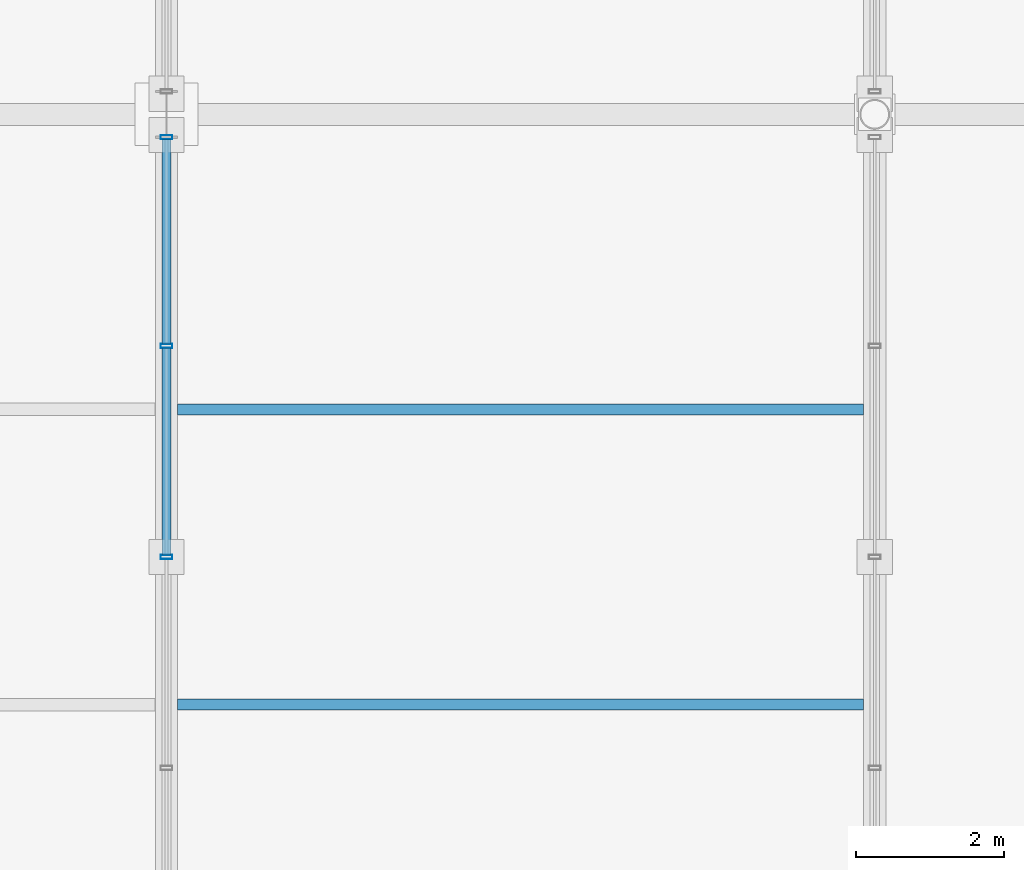
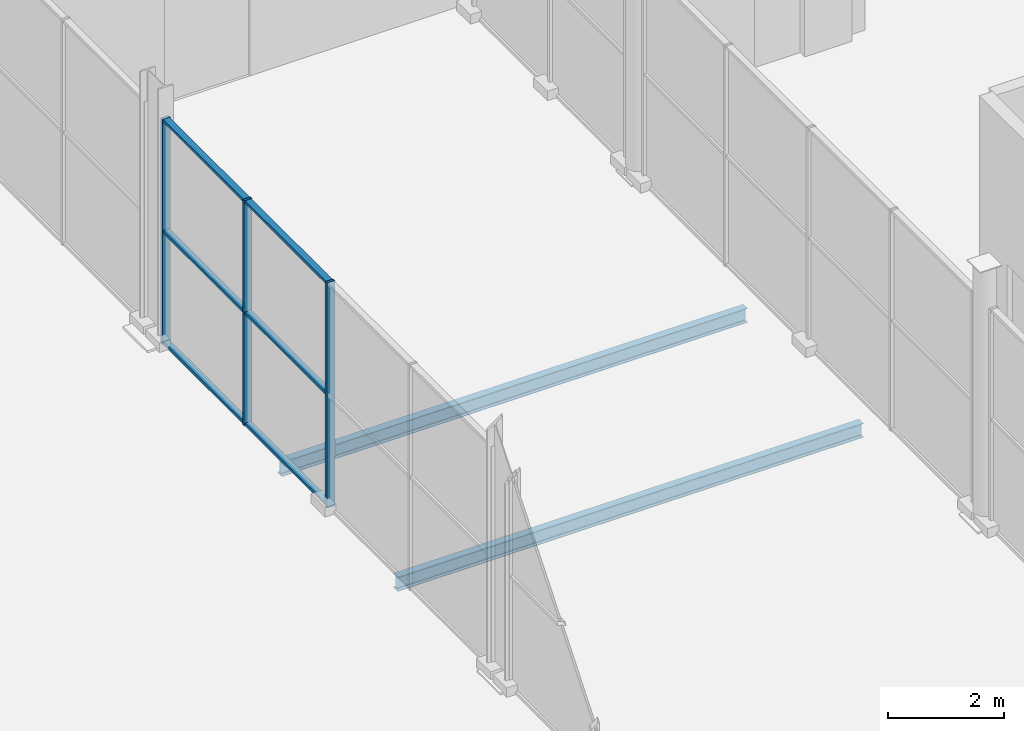
# One storey, part 97 of 196: 9 members, 2 beams, 1 element without a shape of its own.
"""IFC4 building model written with IfcOpenShell, lengths in metres."""

from ifc_helpers import new_model, si_unit, direction, frame, origin, origin_2d, place, context, subcontext, project, spatial, hollow_rectangle, i_section, extrude, material, material_profile, profile_set, type_object, element, aggregate, save


model = new_model("IFC4")

# Units and contexts
model_context = context("Model", 3, precision=1e-05, world=origin(), true_north=direction((0.0, 1.0)))
body_context = subcontext(model_context, "Body", "Model", "MODEL_VIEW")
ifc_project = project(units=[si_unit("LENGTHUNIT", "METRE"), si_unit("AREAUNIT", "SQUARE_METRE"), si_unit("VOLUMEUNIT", "CUBIC_METRE"), si_unit("PLANEANGLEUNIT", "RADIAN"), si_unit("MASSUNIT", "GRAM", prefix="KILO")], contexts=[model_context])

# Site, building, storey
site_placement = place(None, origin())
site = spatial("IfcSite", under=ifc_project, at=site_placement, CompositionType="ELEMENT")
building_placement = place(site_placement, origin())
building = spatial("IfcBuilding", under=site, at=building_placement, Name="Merenkruunu Market Hall", CompositionType="ELEMENT")
storey_placement = place(building_placement, origin())
storey = spatial("IfcBuildingStorey", under=building, at=storey_placement, Name="L00", CompositionType="ELEMENT", Elevation=0.0)

# Curtain wall, members
ifc_material_1 = material(Name="Powder-coated aluminium", Category="aluminium")
curtain_wall_type = type_object("IfcCurtainWallType", Name="Glazed Curtain Wall CW02", PredefinedType="USERDEFINED", material=ifc_material_1)
curtain_wall_placement = place(storey_placement, origin())
curtain_wall = element("IfcCurtainWall", 1, at=curtain_wall_placement, inside=storey, type_object=curtain_wall_type, Name="CW-L00-CWM01-133", ObjectType="GLAZED_FACADE", PredefinedType="USERDEFINED")
ifc_material_profile_1 = material_profile(ifc_material_1, hollow_rectangle(XDim=0.06005859375, YDim=0.159912109375, WallThickness=0.00390625, at=origin_2d()), Name="ALU 60x160x4")
ifc_profile_set_1 = profile_set([ifc_material_profile_1], Name="Powder-coated aluminium")
member_type_1 = type_object("IfcMemberType", Name="Curtain Wall Mullion CWM01", PredefinedType="MULLION", material=ifc_profile_set_1)
member_1_placement = place(storey_placement, frame((57.60009765625, 81.60009765625, 0.0), z_axis=(0.0, 0.0, 1.0), x_axis=(0.0, 1.0, 0.0)))
member_1 = element("IfcMember", 2, at=member_1_placement, type_object=member_type_1, Name="CW02 mullion 3", PredefinedType="MULLION", context=body_context, shape_type="SweptSolid", body=[
    extrude(hollow_rectangle(XDim=0.06005859375, YDim=0.159912109375, WallThickness=0.00390625, at=origin_2d()), origin(), (0.0, 0.0, 1.0), 4.75),
])
member_2_placement = place(storey_placement, frame((57.60009765625, 84.4599609375, 0.0), z_axis=(0.0, 0.0, 1.0), x_axis=(0.0, 1.0, 0.0)))
member_2 = element("IfcMember", 3, at=member_2_placement, type_object=member_type_1, Name="CW02 mullion 4", PredefinedType="MULLION", context=body_context, shape_type="SweptSolid", body=[
    extrude(hollow_rectangle(XDim=0.06005859375, YDim=0.159912109375, WallThickness=0.00390625, at=origin_2d()), origin(), (0.0, 0.0, 1.0), 4.75),
])
member_3_placement = place(storey_placement, frame((57.60009765625, 87.2900390625, 0.0), z_axis=(0.0, 0.0, 1.0), x_axis=(0.0, 1.0, 0.0)))
member_3 = element("IfcMember", 4, at=member_3_placement, type_object=member_type_1, Name="CW02 mullion 5", PredefinedType="MULLION", context=body_context, shape_type="SweptSolid", body=[
    extrude(hollow_rectangle(XDim=0.06005859375, YDim=0.159912109375, WallThickness=0.00390625, at=origin_2d()), origin(), (0.0, 0.0, 1.0), 4.75),
])
ifc_material_profile_2 = material_profile(ifc_material_1, hollow_rectangle(XDim=0.06005859375, YDim=0.125, WallThickness=0.00390625, at=origin_2d()), Name="ALU 60x125x4")
ifc_profile_set_2 = profile_set([ifc_material_profile_2], Name="Powder-coated aluminium")
member_type_2 = type_object("IfcMemberType", Name="Curtain Wall Transom CWT01", PredefinedType="USERDEFINED", material=ifc_profile_set_2)
member_4_placement = place(storey_placement, frame((57.60009765625, 81.6298828125, 0.030029296875), z_axis=(0.0, 1.0, 0.0), x_axis=(0.0, 0.0, 1.0)))
member_4 = element("IfcMember", 5, at=member_4_placement, type_object=member_type_2, Name="CW02 transom 3.1", ObjectType="TRANSOM", PredefinedType="USERDEFINED", context=body_context, shape_type="SweptSolid", body=[
    extrude(hollow_rectangle(XDim=0.06005859375, YDim=0.125, WallThickness=0.00390625, at=origin_2d()), origin(), (0.0, 0.0, 1.0), 2.800048828125),
])
member_5_placement = place(storey_placement, frame((57.60009765625, 81.6298828125, 2.375), z_axis=(0.0, 1.0, 0.0), x_axis=(0.0, 0.0, 1.0)))
member_5 = element("IfcMember", 6, at=member_5_placement, type_object=member_type_2, Name="CW02 transom 3.2", ObjectType="TRANSOM", PredefinedType="USERDEFINED", context=body_context, shape_type="SweptSolid", body=[
    extrude(hollow_rectangle(XDim=0.06005859375, YDim=0.125, WallThickness=0.00390625, at=origin_2d()), origin(), (0.0, 0.0, 1.0), 2.800048828125),
])
member_6_placement = place(storey_placement, frame((57.60009765625, 81.6298828125, 4.719970703125), z_axis=(0.0, 1.0, 0.0), x_axis=(0.0, 0.0, 1.0)))
member_6 = element("IfcMember", 7, at=member_6_placement, type_object=member_type_2, Name="CW02 transom 3.3", ObjectType="TRANSOM", PredefinedType="USERDEFINED", context=body_context, shape_type="SweptSolid", body=[
    extrude(hollow_rectangle(XDim=0.06005859375, YDim=0.125, WallThickness=0.00390625, at=origin_2d()), origin(), (0.0, 0.0, 1.0), 2.800048828125),
])
member_7_placement = place(storey_placement, frame((57.60009765625, 84.489990234375, 0.030029296875), z_axis=(0.0, 1.0, 0.0), x_axis=(0.0, 0.0, 1.0)))
member_7 = element("IfcMember", 8, at=member_7_placement, type_object=member_type_2, Name="CW02 transom 4.1", ObjectType="TRANSOM", PredefinedType="USERDEFINED", context=body_context, shape_type="SweptSolid", body=[
    extrude(hollow_rectangle(XDim=0.06005859375, YDim=0.125, WallThickness=0.00390625, at=origin_2d()), origin(), (0.0, 0.0, 1.0), 2.77001953125),
])
member_8_placement = place(storey_placement, frame((57.60009765625, 84.489990234375, 2.375), z_axis=(0.0, 1.0, 0.0), x_axis=(0.0, 0.0, 1.0)))
member_8 = element("IfcMember", 9, at=member_8_placement, type_object=member_type_2, Name="CW02 transom 4.2", ObjectType="TRANSOM", PredefinedType="USERDEFINED", context=body_context, shape_type="SweptSolid", body=[
    extrude(hollow_rectangle(XDim=0.06005859375, YDim=0.125, WallThickness=0.00390625, at=origin_2d()), origin(), (0.0, 0.0, 1.0), 2.77001953125),
])
member_9_placement = place(storey_placement, frame((57.60009765625, 84.489990234375, 4.719970703125), z_axis=(0.0, 1.0, 0.0), x_axis=(0.0, 0.0, 1.0)))
member_9 = element("IfcMember", 10, at=member_9_placement, type_object=member_type_2, Name="CW02 transom 4.3", ObjectType="TRANSOM", PredefinedType="USERDEFINED", context=body_context, shape_type="SweptSolid", body=[
    extrude(hollow_rectangle(XDim=0.06005859375, YDim=0.125, WallThickness=0.00390625, at=origin_2d()), origin(), (0.0, 0.0, 1.0), 2.77001953125),
])
aggregate(curtain_wall, [member_1, member_2, member_3, member_4, member_5, member_6, member_7, member_8, member_9])

# Beams
ifc_material_2 = material(Name="Steel S355J2", Category="steel")
ifc_material_profile_3 = material_profile(ifc_material_2, i_section(OverallWidth=0.14990234375, OverallDepth=0.300048828125, WebThickness=0.007080078125, FlangeThickness=0.0107421875, FilletRadius=0.014892578125, at=origin_2d()), Name="IPE 300")
ifc_profile_set_3 = profile_set([ifc_material_profile_3], Name="Steel S355J2")
beam_type = type_object("IfcBeamType", Name="Secondary Floor Joist J04", PredefinedType="JOIST", material=ifc_profile_set_3)
for number, where, z_axis, x_axis, name in (
    (11, (57.7529296875, 79.60009765625, -0.449951171875), (1.0, 0.0, 0.0), (0.0, 1.0, 0.0), "BM-L00-J04-0354"),
    (12, (57.7529296875, 83.60009765625, -0.449951171875), (1.0, 0.0, 0.0), (0.0, 1.0, 0.0), "BM-L00-J04-0355"),
):
    element("IfcBeam", number, at=place(storey_placement, frame(where, z_axis=z_axis, x_axis=x_axis)), inside=storey, type_object=beam_type, Name=name, PredefinedType="JOIST", context=body_context, shape_type="SweptSolid", body=[
        extrude(i_section(OverallWidth=0.14990234375, OverallDepth=0.300048828125, WebThickness=0.007080078125, FlangeThickness=0.0107421875, FilletRadius=0.014892578125, at=origin_2d()), origin(), (0.0, 0.0, 1.0), 9.294189453125),
    ])

save(model, "model.ifc")
